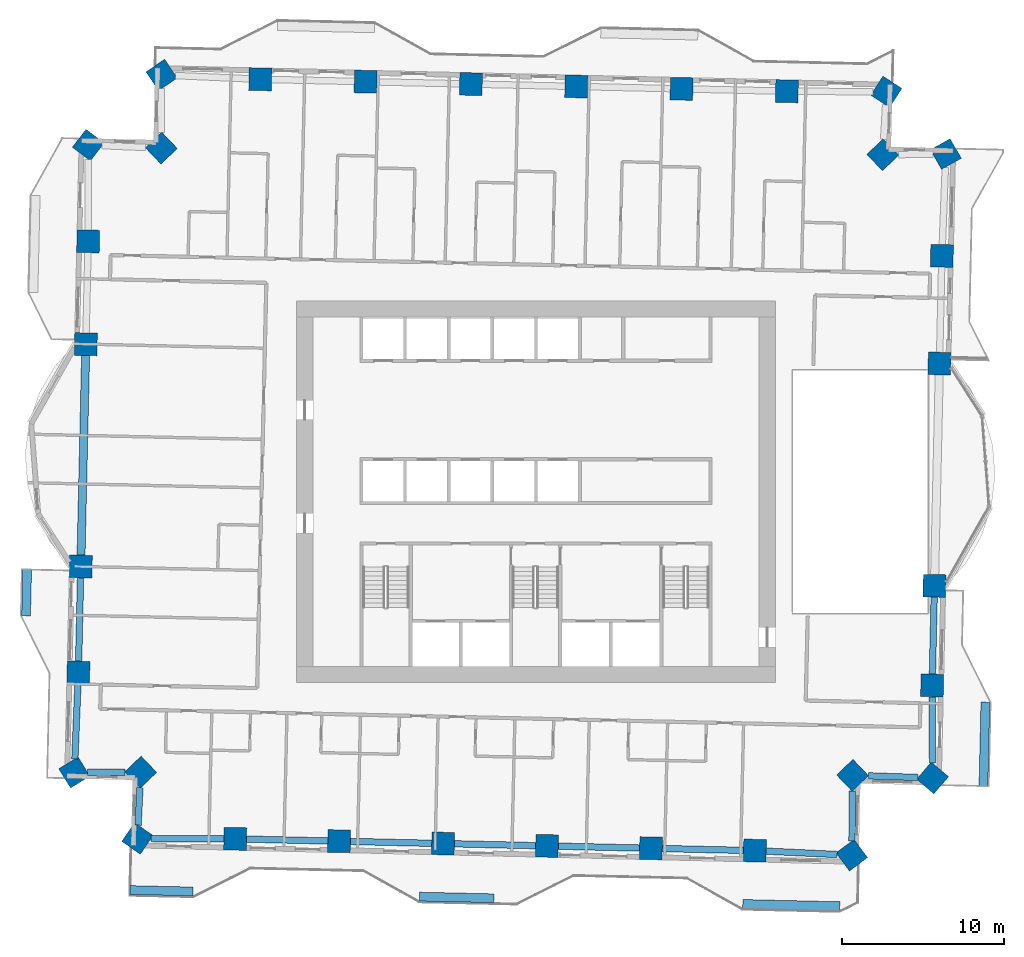
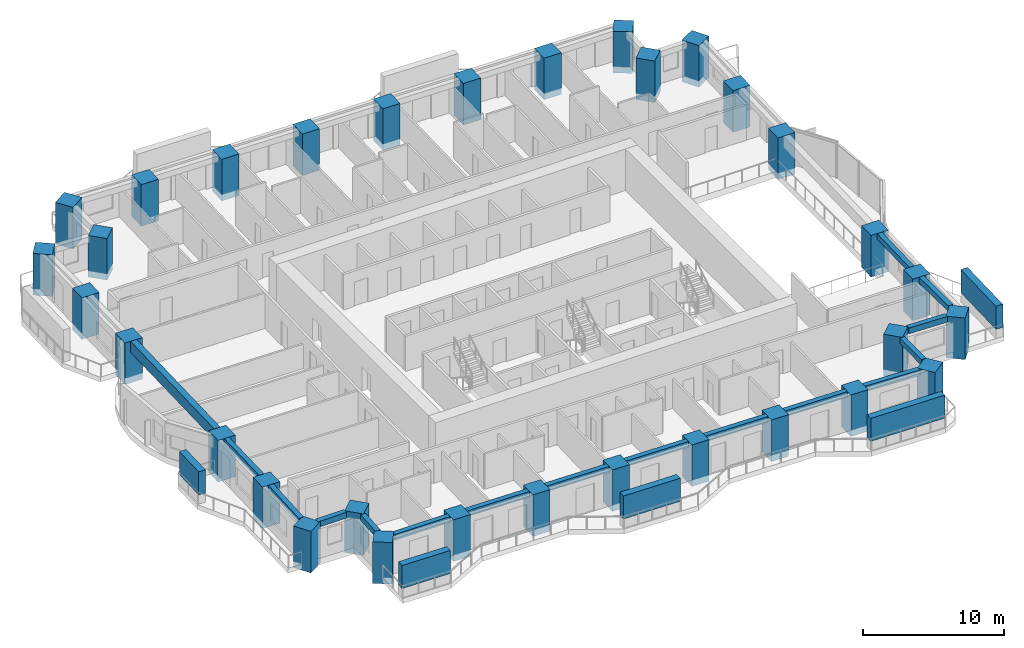
# One storey, part 1 of 16: 32 columns, 16 beams, 5 members.
"""IFC4 building model written with IfcOpenShell, lengths in metres."""

from ifc_helpers import new_model, si_unit, direction, frame, origin, origin_2d, place, context, subcontext, project, spatial, rectangle, extrude, material, material_profile, profile_set, type_object, element, save


model = new_model("IFC4")

# Units and contexts
model_context = context("Model", 3, precision=1e-05, world=origin(), true_north=direction((0.0, 1.0)))
body_context = subcontext(model_context, "Body", "Model", "MODEL_VIEW")
ifc_project = project(units=[si_unit("LENGTHUNIT", "METRE"), si_unit("AREAUNIT", "SQUARE_METRE"), si_unit("VOLUMEUNIT", "CUBIC_METRE"), si_unit("PLANEANGLEUNIT", "RADIAN"), si_unit("MASSUNIT", "GRAM", prefix="KILO")], contexts=[model_context])

# Site, building, storey
site_placement = place(None, origin())
site = spatial("IfcSite", under=ifc_project, at=site_placement, CompositionType="ELEMENT")
building_placement = place(site_placement, origin())
building = spatial("IfcBuilding", under=site, at=building_placement, Name="Mangrove Gate Tower", CompositionType="ELEMENT")
storey_placement = place(building_placement, frame((0.0, 0.0, 105.5)))
storey = spatial("IfcBuildingStorey", under=building, at=storey_placement, Name="L26", CompositionType="ELEMENT", Elevation=105.5)

# Columns
ifc_material_1 = material(Name="Concrete C70/85", Category="concrete")
ifc_material_profile_1 = material_profile(ifc_material_1, rectangle(XDim=1.39990234375, YDim=1.39990234375, at=origin_2d()))
ifc_profile_set_1 = profile_set([ifc_material_profile_1], Name="Concrete C70/85")
column_type = type_object("IfcColumnType", Name="Column RC 1400x1400 C70/85", PredefinedType="COLUMN", material=ifc_profile_set_1)
for number, where, z_axis, x_axis, name in (
    (1, (-28.153076171875, -4.625, -0.550048828125), (0.0, 0.0, 1.0), (-0.022695691547, -0.999742419619, 0.0), "Column L26 W05"),
    (2, (-28.30224609375, -11.184814453125, -0.550048828125), (0.0, 0.0, 1.0), (-0.022705829297, -0.999742189425, 0.0), "Column L26 W06"),
    (3, (-28.552978515625, -17.3662109375, -0.550048828125), (0.0, 0.0, 1.0), (0.51980850099, -0.85428281166, 0.0), "Column L26 W07"),
    (4, (-24.446044921875, -17.34130859375, -0.550048828125), (0.0, 0.0, 1.0), (0.69093208713, -0.722919671176, 0.0), "Column L26 W08"),
    (5, (-24.65087890625, -21.44677734375, -0.550048828125), (0.0, 0.0, 1.0), (0.824584810142, -0.565738359034, 0.0), "Column L26 S01"),
    (6, (-18.60302734375, -21.47021484375, -0.550048828125), (0.0, 0.0, 1.0), (0.999742156532, -0.022707277547, 0.0), "Column L26 S02"),
    (7, (-12.175048828125, -21.6162109375, -0.550048828125), (0.0, 0.0, 1.0), (0.999742156532, -0.022707277547, 0.0), "Column L26 S03"),
    (8, (-5.7470703125, -21.76220703125, -0.550048828125), (0.0, 0.0, 1.0), (0.999742156532, -0.022707277547, 0.0), "Column L26 S04"),
    (9, (0.680908203125, -21.908203125, -0.550048828125), (0.0, 0.0, 1.0), (0.999742156532, -0.022707277547, 0.0), "Column L26 S05"),
    (10, (7.10888671875, -22.05419921875, -0.550048828125), (0.0, 0.0, 1.0), (0.999743919101, -0.022629543109, 0.0), "Column L26 S06"),
    (11, (13.536865234375, -22.19921875, -0.550048828125), (0.0, 0.0, 1.0), (0.999743919101, -0.022629543109, 0.0), "Column L26 S07"),
    (12, (19.531982421875, -22.482666015625, -0.550048828125), (0.0, 0.0, 1.0), (0.803200357552, 0.595708977294, 0.0), "Column L26 S08"),
    (13, (19.579345703125, -17.541015625, -0.550048828125), (0.0, 0.0, 1.0), (0.722976563275, 0.690872556232, 0.0), "Column L26 E01"),
    (14, (24.527587890625, -17.706787109375, -0.550048828125), (0.0, 0.0, 1.0), (0.64744355459, 0.76211340601, 0.0), "Column L26 E02"),
    (15, (24.501220703125, -11.983154296875, -0.550048828125), (0.0, 0.0, 1.0), (0.022717711923, 0.99974191948, 0.0), "Column L26 E03"),
    (16, (24.64111328125, -5.822021484375, -0.550048828125), (0.0, 0.0, 1.0), (0.022698588047, 0.99974235386, 0.0), "Column L26 E04"),
    (17, (24.953125, 7.9248046875, -0.550048828125), (0.0, 0.0, 1.0), (0.022682447908, 0.999742720182, 0.0), "Column L26 E05"),
    (18, (25.104248046875, 14.5849609375, -0.550048828125), (0.0, 0.0, 1.0), (0.022665138693, 0.999743112748, 0.0), "Column L26 E06"),
    (19, (25.346923828125, 20.88330078125, -0.550048828125), (0.0, 0.0, 1.0), (-0.495140886792, 0.868812696861, 0.0), "Column L26 E07"),
    (20, (21.449951171875, 20.83740234375, -0.550048828125), (0.0, 0.0, 1.0), (-0.690837236726, 0.723010312757, 0.0), "Column L26 E08"),
    (21, (21.66748046875, 24.73193359375, -0.550048828125), (0.0, 0.0, 1.0), (-0.840169758103, 0.542323499001, 0.0), "Column L26 N01"),
    (22, (15.51708984375, 24.76708984375, -0.550048828125), (0.0, 0.0, 1.0), (-0.999743694319, 0.022639471488, 0.0), "Column L26 N02"),
    (23, (9.004150390625, 24.915283203125, -0.550048828125), (0.0, 0.0, 1.0), (-0.99974195437, 0.02271617643, 0.0), "Column L26 N03"),
    (24, (2.489990234375, 25.063232421875, -0.550048828125), (0.0, 0.0, 1.0), (-0.999741994016, 0.022714431551, 0.0), "Column L26 N04"),
    (25, (-4.02392578125, 25.211181640625, -0.550048828125), (0.0, 0.0, 1.0), (-0.999741994016, 0.022714431551, 0.0), "Column L26 N05"),
    (26, (-10.537841796875, 25.359130859375, -0.550048828125), (0.0, 0.0, 1.0), (-0.99974195437, 0.02271617643, 0.0), "Column L26 N06"),
    (27, (-17.05078125, 25.507080078125, -0.550048828125), (0.0, 0.0, 1.0), (-0.999743694319, 0.022639471488, 0.0), "Column L26 N07"),
    (28, (-23.158447265625, 25.773193359375, -0.550048828125), (0.0, 0.0, 1.0), (-0.829825550582, -0.558022898815, 0.0), "Column L26 N08"),
    (29, (-23.17041015625, 21.25, -0.550048828125), (0.0, 0.0, 1.0), (-0.722988982899, -0.690859559249, 0.0), "Column L26 W01"),
    (30, (-27.694091796875, 21.437255859375, -0.550048828125), (0.0, 0.0, 1.0), (-0.604088172923, -0.796917485901, 0.0), "Column L26 W02"),
    (31, (-27.697265625, 15.483154296875, -0.550048828125), (0.0, 0.0, 1.0), (-0.02271069751, -0.999742078848, 0.0), "Column L26 W03"),
    (32, (-27.841064453125, 9.1220703125, -0.550048828125), (0.0, 0.0, 1.0), (-0.022671716894, -0.999742963593, 0.0), "Column L26 W04"),
):
    element("IfcColumn", number, at=place(storey_placement, frame(where, z_axis=z_axis, x_axis=x_axis)), inside=storey, type_object=column_type, Name=name, PredefinedType="COLUMN", context=body_context, shape_type="SweptSolid", body=[
        extrude(rectangle(XDim=1.39990234375, YDim=1.39990234375, at=origin_2d()), origin(), (0.0, 0.0, 1.0), 3.60009765625),
    ])

# Members
ifc_material_2 = material(Name="Planting on aluminium trellis", Category="aluminium")
ifc_material_profile_2 = material_profile(ifc_material_2, rectangle(XDim=0.550048828125, YDim=2.0, at=origin_2d()))
ifc_profile_set_2 = profile_set([ifc_material_profile_2], Name="Planting on aluminium trellis")
member_type = type_object("IfcMemberType", Name="Balcony greenery screen 550x2000", PredefinedType="USERDEFINED", material=ifc_profile_set_2)
member_1_placement = place(storey_placement, frame((27.676025390625, -18.219970703125, 1.800048828125), z_axis=(0.022675548694, 0.99974287669, 0.0), x_axis=(-0.99974287669, 0.022675548694, 0.0)))
element("IfcMember", 33, at=member_1_placement, inside=storey, type_object=member_type, Name="GREEN SCREEN L26 E0.1", ObjectType="PLANTING", PredefinedType="USERDEFINED", context=body_context, shape_type="SweptSolid", body=[
    extrude(rectangle(XDim=0.550048828125, YDim=2.0, at=origin_2d()), origin(), (0.0, 0.0, 1.0), 5.2001953125),
])
member_2_placement = place(storey_placement, frame((-31.5380859375, -7.673095703125, 1.800048828125), z_axis=(0.022675106248, 0.999742886725, 0.0), x_axis=(-0.999742886725, 0.022675106248, 0.0)))
element("IfcMember", 34, at=member_2_placement, inside=storey, type_object=member_type, Name="GREEN SCREEN L26 W1.1", ObjectType="PLANTING", PredefinedType="USERDEFINED", context=body_context, shape_type="SweptSolid", body=[
    extrude(rectangle(XDim=0.550048828125, YDim=2.0, at=origin_2d()), origin(), (0.0, 0.0, 1.0), 2.874755859375),
])
member_3_placement = place(storey_placement, frame((-25.10693359375, -24.637939453125, 1.800048828125), z_axis=(0.999739440837, -0.022826529207, 0.0), x_axis=(0.022826529207, 0.999739440837, 0.0)))
element("IfcMember", 35, at=member_3_placement, inside=storey, type_object=member_type, Name="GREEN SCREEN L26 S0.1", ObjectType="PLANTING", PredefinedType="USERDEFINED", context=body_context, shape_type="SweptSolid", body=[
    extrude(rectangle(XDim=0.550048828125, YDim=2.0, at=origin_2d()), origin(), (0.0, 0.0, 1.0), 3.90380859375),
])
member_4_placement = place(storey_placement, frame((-7.20703125, -25.044921875, 1.800048828125), z_axis=(0.999744296031, -0.022612884682, 0.0), x_axis=(0.022612884682, 0.999744296031, 0.0)))
element("IfcMember", 36, at=member_4_placement, inside=storey, type_object=member_type, Name="GREEN SCREEN L26 S0.2", ObjectType="PLANTING", PredefinedType="USERDEFINED", context=body_context, shape_type="SweptSolid", body=[
    extrude(rectangle(XDim=0.550048828125, YDim=2.0, at=origin_2d()), origin(), (0.0, 0.0, 1.0), 4.599365234375),
])
member_5_placement = place(storey_placement, frame((12.7880859375, -25.498046875, 1.800048828125), z_axis=(0.999739371644, -0.02282955947, 0.0), x_axis=(0.02282955947, 0.999739371644, 0.0)))
element("IfcMember", 37, at=member_5_placement, inside=storey, type_object=member_type, Name="GREEN SCREEN L26 S1.1", ObjectType="PLANTING", PredefinedType="USERDEFINED", context=body_context, shape_type="SweptSolid", body=[
    extrude(rectangle(XDim=0.550048828125, YDim=2.0, at=origin_2d()), origin(), (0.0, 0.0, 1.0), 5.999267578125),
])

# Beams
ifc_material_3 = material(Name="Concrete C50/60", Category="concrete")
ifc_material_profile_3 = material_profile(ifc_material_3, rectangle(XDim=0.39990234375, YDim=0.5, at=origin_2d()))
ifc_profile_set_3 = profile_set([ifc_material_profile_3], Name="Concrete C50/60")
beam_type_1 = type_object("IfcBeamType", Name="Edge beam RC 400x500 C50/60", PredefinedType="BEAM", material=ifc_profile_set_3)
beam_1_placement = place(storey_placement, frame((-28.169189453125, -5.32470703125, 2.800048828125), z_axis=(-0.022703140476, -0.999742250489, 0.0), x_axis=(0.999742250489, -0.022703140476, 0.0)))
element("IfcBeam", 38, at=beam_1_placement, inside=storey, type_object=beam_type_1, Name="Edge beam L26 00", PredefinedType="BEAM", context=body_context, shape_type="SweptSolid", body=[
    extrude(rectangle(XDim=0.39990234375, YDim=0.5, at=origin_2d()), origin(), (0.0, 0.0, 1.0), 5.16162109375),
])
beam_2_placement = place(storey_placement, frame((-28.33056640625, -11.884521484375, 2.800048828125), z_axis=(-0.040522157251, -0.99917864007, 0.0), x_axis=(0.99917864007, -0.040522157251, 0.0)))
element("IfcBeam", 39, at=beam_2_placement, inside=storey, type_object=beam_type_1, Name="Edge beam L26 01", PredefinedType="BEAM", context=body_context, shape_type="SweptSolid", body=[
    extrude(rectangle(XDim=0.39990234375, YDim=0.5, at=origin_2d()), origin(), (0.0, 0.0, 1.0), 4.645263671875),
])
beam_3_placement = place(storey_placement, frame((-27.736572265625, -17.361328125, 2.800048828125), z_axis=(0.999981499965, 0.006082740115, 0.0), x_axis=(-0.006082740115, 0.999981499965, 0.0)))
element("IfcBeam", 40, at=beam_3_placement, inside=storey, type_object=beam_type_1, Name="Edge beam L26 02", PredefinedType="BEAM", context=body_context, shape_type="SweptSolid", body=[
    extrude(rectangle(XDim=0.39990234375, YDim=0.5, at=origin_2d()), origin(), (0.0, 0.0, 1.0), 2.327880859375),
])
beam_4_placement = place(storey_placement, frame((-24.494140625, -18.30419921875, 2.800048828125), z_axis=(-0.049885237049, -0.998754956496, 0.0), x_axis=(0.998754956496, -0.049885237049, 0.0)))
element("IfcBeam", 41, at=beam_4_placement, inside=storey, type_object=beam_type_1, Name="Edge beam L26 03", PredefinedType="BEAM", context=body_context, shape_type="SweptSolid", body=[
    extrude(rectangle(XDim=0.39990234375, YDim=0.5, at=origin_2d()), origin(), (0.0, 0.0, 1.0), 2.32470703125),
])
beam_5_placement = place(storey_placement, frame((-23.80419921875, -21.449951171875, 2.800048828125), z_axis=(0.999992374003, -0.003905372691, 0.0), x_axis=(0.003905372691, 0.999992374003, 0.0)))
element("IfcBeam", 42, at=beam_5_placement, inside=storey, type_object=beam_type_1, Name="Edge beam L26 04", PredefinedType="BEAM", context=body_context, shape_type="SweptSolid", body=[
    extrude(rectangle(XDim=0.39990234375, YDim=0.5, at=origin_2d()), origin(), (0.0, 0.0, 1.0), 4.5009765625),
])
for number, where, z_axis, x_axis, name in (
    (43, (-17.9033203125, -21.486083984375, 2.800048828125), (0.999741935774, -0.022716994851, 0.0), (0.022716994851, 0.999741935774, 0.0), "Edge beam L26 05"),
    (44, (-11.475341796875, -21.632080078125, 2.800048828125), (0.999741935774, -0.022716994851, 0.0), (0.022716994851, 0.999741935774, 0.0), "Edge beam L26 06"),
    (45, (-5.04736328125, -21.778076171875, 2.800048828125), (0.999741935774, -0.022716994851, 0.0), (0.022716994851, 0.999741935774, 0.0), "Edge beam L26 07"),
    (46, (1.380615234375, -21.924072265625, 2.800048828125), (0.999741935774, -0.022716994851, 0.0), (0.022716994851, 0.999741935774, 0.0), "Edge beam L26 08"),
    (47, (7.80859375, -22.070068359375, 2.800048828125), (0.999746326605, -0.022522931421, 0.0), (0.022522931421, 0.999746326605, 0.0), "Edge beam L26 09"),
):
    element("IfcBeam", number, at=place(storey_placement, frame(where, z_axis=z_axis, x_axis=x_axis)), inside=storey, type_object=beam_type_1, Name=name, PredefinedType="BEAM", context=body_context, shape_type="SweptSolid", body=[
        extrude(rectangle(XDim=0.39990234375, YDim=0.5, at=origin_2d()), origin(), (0.0, 0.0, 1.0), 5.029541015625),
    ])
beam_6_placement = place(storey_placement, frame((14.236328125, -22.232177734375, 2.800048828125), z_axis=(0.998883285152, -0.047245980195, 0.0), x_axis=(0.047245980195, 0.998883285152, 0.0)))
element("IfcBeam", 48, at=beam_6_placement, inside=storey, type_object=beam_type_1, Name="Edge beam L26 10", PredefinedType="BEAM", context=body_context, shape_type="SweptSolid", body=[
    extrude(rectangle(XDim=0.39990234375, YDim=0.5, at=origin_2d()), origin(), (0.0, 0.0, 1.0), 4.3974609375),
])
beam_7_placement = place(storey_placement, frame((19.54052734375, -21.60498046875, 2.800048828125), z_axis=(0.009569318236, 0.999954213026, 0.0), x_axis=(-0.999954213026, 0.009569318236, 0.0)))
element("IfcBeam", 49, at=beam_7_placement, inside=storey, type_object=beam_type_1, Name="Edge beam L26 11", PredefinedType="BEAM", context=body_context, shape_type="SweptSolid", body=[
    extrude(rectangle(XDim=0.39990234375, YDim=0.5, at=origin_2d()), origin(), (0.0, 0.0, 1.0), 3.087158203125),
])
beam_8_placement = place(storey_placement, frame((20.558349609375, -17.57373046875, 2.800048828125), z_axis=(0.999439612245, -0.03347329495, 0.0), x_axis=(0.03347329495, 0.999439612245, 0.0)))
element("IfcBeam", 50, at=beam_8_placement, inside=storey, type_object=beam_type_1, Name="Edge beam L26 12", PredefinedType="BEAM", context=body_context, shape_type="SweptSolid", body=[
    extrude(rectangle(XDim=0.39990234375, YDim=0.5, at=origin_2d()), origin(), (0.0, 0.0, 1.0), 3.077880859375),
])
beam_9_placement = place(storey_placement, frame((24.523193359375, -16.78466796875, 2.800048828125), z_axis=(-0.004583558018, 0.999989495443, 0.0), x_axis=(-0.999989495443, -0.004583558018, 0.0)))
element("IfcBeam", 51, at=beam_9_placement, inside=storey, type_object=beam_type_1, Name="Edge beam L26 13", PredefinedType="BEAM", context=body_context, shape_type="SweptSolid", body=[
    extrude(rectangle(XDim=0.39990234375, YDim=0.5, at=origin_2d()), origin(), (0.0, 0.0, 1.0), 4.101318359375),
])
beam_10_placement = place(storey_placement, frame((24.51708984375, -11.283203125, 2.800048828125), z_axis=(0.022709760556, 0.999742100132, 0.0), x_axis=(-0.999742100132, 0.022709760556, 0.0)))
element("IfcBeam", 52, at=beam_10_placement, inside=storey, type_object=beam_type_1, Name="Edge beam L26 14", PredefinedType="BEAM", context=body_context, shape_type="SweptSolid", body=[
    extrude(rectangle(XDim=0.39990234375, YDim=0.5, at=origin_2d()), origin(), (0.0, 0.0, 1.0), 4.762451171875),
])
ifc_material_4 = material(Name="Concrete C50/60", Category="concrete")
ifc_material_profile_4 = material_profile(ifc_material_4, rectangle(XDim=0.5, YDim=0.949951171875, at=origin_2d()))
ifc_profile_set_4 = profile_set([ifc_material_profile_4], Name="Concrete C50/60")
beam_type_2 = type_object("IfcBeamType", Name="Edge beam RC 500x950 C50/60", PredefinedType="BEAM", material=ifc_profile_set_4)
beam_11_placement = place(storey_placement, frame((-27.857177734375, 8.42236328125, 2.574951171875), z_axis=(-0.022673359101, -0.99974292635, 0.0), x_axis=(0.99974292635, -0.022673359101, 0.0)))
element("IfcBeam", 53, at=beam_11_placement, inside=storey, type_object=beam_type_2, Name="Edge beam L26 31", PredefinedType="BEAM", context=body_context, shape_type="SweptSolid", body=[
    extrude(rectangle(XDim=0.5, YDim=0.949951171875, at=origin_2d()), origin(), (0.0, 0.0, 1.0), 12.3505859375),
])

save(model, "model.ifc")
